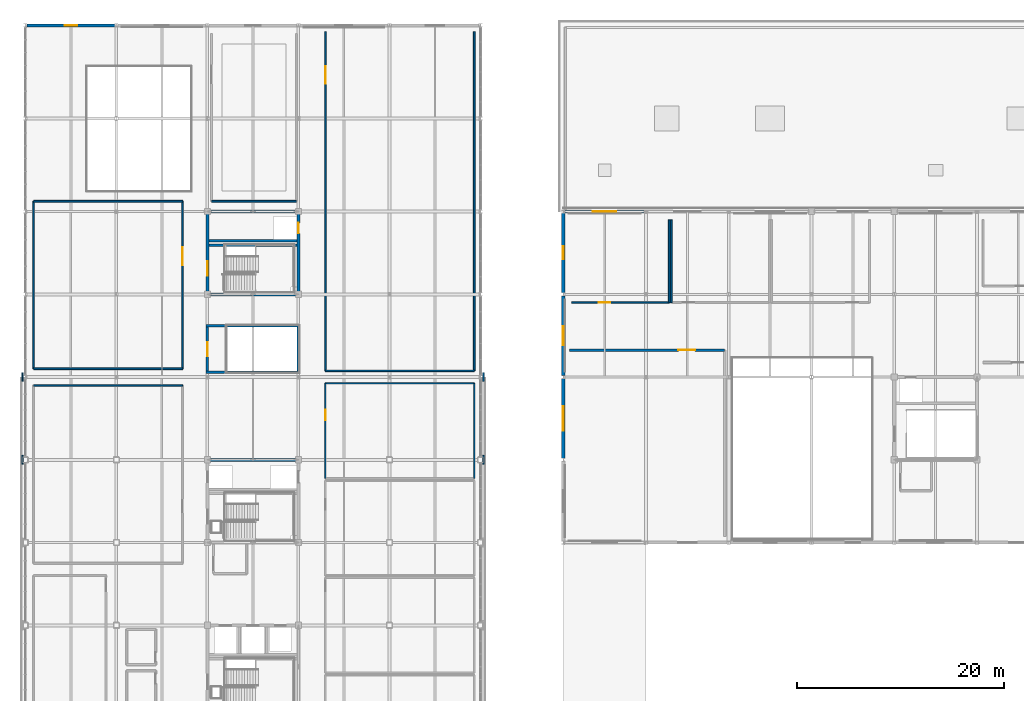
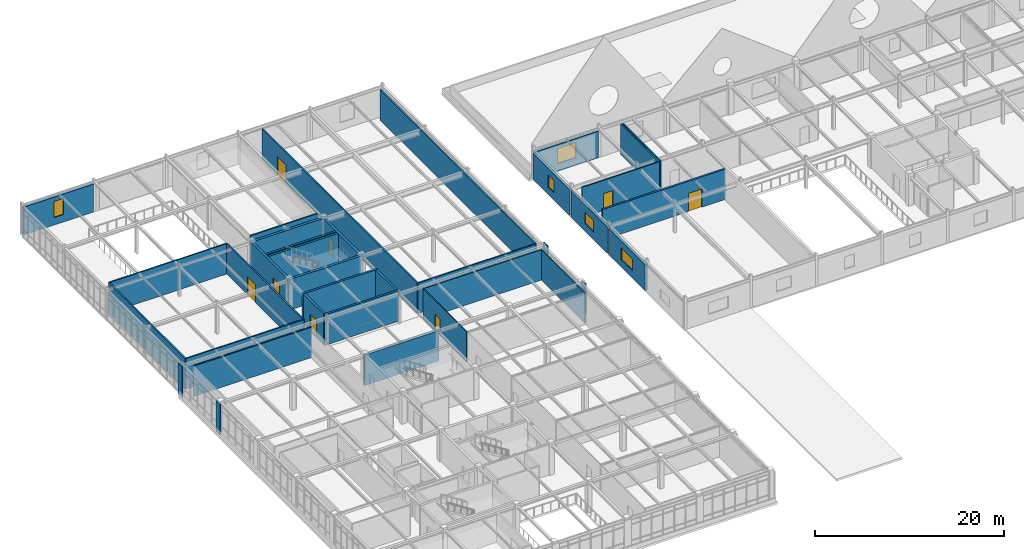
# One storey, part 78 of 88: 36 walls, 8 doors, 5 windows, 13 openings.
"""IFC4 building model written with IfcOpenShell, lengths in metres."""

from ifc_helpers import new_model, si_unit, direction, frame, frame_2d, origin, place, context, subcontext, project, spatial, rectangle, extrude, material, layer, layer_set, type_object, element, fill, save


model = new_model("IFC4")

# Units and contexts
model_context = context("Model", 3, precision=1e-05, world=origin(), true_north=direction((0.0, 1.0)))
body_context = subcontext(model_context, "Body", "Model", "MODEL_VIEW")
ifc_project = project(units=[si_unit("LENGTHUNIT", "METRE"), si_unit("AREAUNIT", "SQUARE_METRE"), si_unit("VOLUMEUNIT", "CUBIC_METRE"), si_unit("PLANEANGLEUNIT", "RADIAN"), si_unit("MASSUNIT", "GRAM", prefix="KILO")], contexts=[model_context])

# Site, building, storey
site_placement = place(None, origin())
site = spatial("IfcSite", under=ifc_project, at=site_placement, CompositionType="ELEMENT")
building_placement = place(site_placement, origin())
building = spatial("IfcBuilding", under=site, at=building_placement, Name="Zhaolan Boulevard Law Courts", CompositionType="ELEMENT")
storey_placement = place(building_placement, frame((0.0, 0.0, 16.199951171875)))
storey = spatial("IfcBuildingStorey", under=building, at=storey_placement, Name="L03", CompositionType="ELEMENT", Elevation=16.199951171875)

# Walls
ifc_material_1 = material(Name="Concrete C50", Category="concrete")
ifc_layer_1 = layer(ifc_material_1, 0.300048828125)
ifc_layer_set_1 = layer_set([ifc_layer_1])
wall_type_1 = type_object("IfcWallType", Name="CORE SHEAR WALL 300", PredefinedType="SHEAR", material=ifc_layer_set_1)
for number, where, z_axis, x_axis, name in (
    (1, (26.550048828125, 70.0, 0.0), (0.0, 0.0, 1.0), (-1.0, 0.0, 0.0), "Core Shear Wall CW-W2-L03N"),
    (2, (17.449951171875, 86.0, 0.0), (0.0, 0.0, 1.0), (1.0, 0.0, 0.0), "Core Shear Wall CW-L1-L03S"),
    (3, (26.550048828125, 94.0, 0.0), (0.0, 0.0, 1.0), (-1.0, 0.0, 0.0), "Core Shear Wall CW-L1-L03N"),
):
    element("IfcWall", number, at=place(storey_placement, frame(where, z_axis=z_axis, x_axis=x_axis)), inside=storey, type_object=wall_type_1, Name=name, PredefinedType="SHEAR", context=body_context, shape_type="SweptSolid", body=[
        extrude(rectangle(XDim=9.10009765625, YDim=0.300048828125, at=frame_2d((4.550048828125, 0.0))), origin(), (0.0, 0.0, 1.0), 3.920166015625),
    ])

# Wall, opening, door
wall_1_placement = place(storey_placement, frame((17.60009765625, 86.14990234375, 0.0), z_axis=(0.0, 0.0, 1.0), x_axis=(0.0, 1.0, 0.0)))
wall_1 = element("IfcWall", 4, at=wall_1_placement, inside=storey, type_object=wall_type_1, Name="Core Shear Wall CW-L1-L03W", PredefinedType="SHEAR", context=body_context, shape_type="SweptSolid", body=[
    extrude(rectangle(XDim=7.7001953125, YDim=0.300048828125, at=frame_2d((3.85009765625, 0.0))), origin(), (0.0, 0.0, 1.0), 3.920166015625),
])
opening_1_placement = place(wall_1_placement, frame((1.64990234375, 0.0, 0.0)))
opening_1 = element("IfcOpeningElement", 5, at=opening_1_placement, cuts=wall_1, Name="Opening SD-L03-41", PredefinedType="OPENING", context=body_context, shape_type="SweptSolid", body=[
    extrude(rectangle(XDim=1.39990234375, YDim=2.199951171875, at=frame_2d((0.699951171875, 1.10009765625))), frame((0.0, 0.159912109375, 0.0), z_axis=(0.0, -1.0, 0.0), x_axis=(1.0, 0.0, 0.0)), (0.0, 0.0, 1.0), 0.320068359375),
])
ifc_material_2 = material(Name="Fire-rated steel acoustic door", Category="steel")
door_type_1 = type_object("IfcDoorType", Name="STAIR FIRE 1400X2200 L", OperationType="SINGLE_SWING_LEFT", PredefinedType="DOOR", material=ifc_material_2)
door_1_placement = place(opening_1_placement, origin())
door_1 = element("IfcDoor", 6, at=door_1_placement, inside=storey, type_object=door_type_1, Name="Smoke-Proof Stairwell Fire Door SD-L03-41", OperationType="SINGLE_SWING_LEFT", OverallHeight=2.199951171875, OverallWidth=1.39990234375, PredefinedType="DOOR", context=body_context, shape_type="SweptSolid", body=[
    extrude(rectangle(XDim=1.39990234375, YDim=2.199951171875, at=frame_2d((0.699951171875, 1.10009765625))), frame((0.0, 0.02490234375, 0.0), z_axis=(0.0, -1.0, 0.0), x_axis=(1.0, 0.0, 0.0)), (0.0, 0.0, 1.0), 0.050048828125),
])
fill(opening_1, door_1)

wall_2_placement = place(storey_placement, frame((26.39990234375, 86.14990234375, 0.0), z_axis=(0.0, 0.0, 1.0), x_axis=(0.0, 1.0, 0.0)))
wall_2 = element("IfcWall", 7, at=wall_2_placement, inside=storey, type_object=wall_type_1, Name="Core Shear Wall CW-L1-L03E", PredefinedType="SHEAR", context=body_context, shape_type="SweptSolid", body=[
    extrude(rectangle(XDim=7.7001953125, YDim=0.300048828125, at=frame_2d((3.85009765625, 0.0))), origin(), (0.0, 0.0, 1.0), 3.920166015625),
])
opening_2_placement = place(wall_2_placement, frame((5.75, 0.0, 0.0)))
opening_2 = element("IfcOpeningElement", 8, at=opening_2_placement, cuts=wall_2, Name="Opening LD-PL-04-L03", PredefinedType="OPENING", context=body_context, shape_type="SweptSolid", body=[
    extrude(rectangle(XDim=1.0, YDim=2.14990234375, at=frame_2d((0.5, 1.074951171875))), frame((0.0, 0.159912109375, 0.0), z_axis=(0.0, -1.0, 0.0), x_axis=(1.0, 0.0, 0.0)), (0.0, 0.0, 1.0), 0.320068359375),
])
ifc_material_3 = material(Name="Stainless steel sliding landing door", Category="steel")
door_type_2 = type_object("IfcDoorType", Name="LIFT LANDING 1000X2150", OperationType="DOUBLE_DOOR_SLIDING", PredefinedType="DOOR", material=ifc_material_3)
door_2_placement = place(opening_2_placement, origin())
door_2 = element("IfcDoor", 9, at=door_2_placement, inside=storey, type_object=door_type_2, Name="Lift Landing Sliding Door LD-PL-04-L03", OperationType="DOUBLE_DOOR_SLIDING", OverallHeight=2.14990234375, OverallWidth=1.0, PredefinedType="DOOR", context=body_context, shape_type="SweptSolid", body=[
    extrude(rectangle(XDim=1.0, YDim=2.14990234375, at=frame_2d((0.5, 1.074951171875))), frame((0.0, 0.02490234375, 0.0), z_axis=(0.0, -1.0, 0.0), x_axis=(1.0, 0.0, 0.0)), (0.0, 0.0, 1.0), 0.050048828125),
])
fill(opening_2, door_2)

# Walls
ifc_material_4 = material(Name="Concrete C40", Category="concrete")
ifc_layer_2 = layer(ifc_material_4, 0.139892578125)
ifc_layer_set_2 = layer_set([ifc_layer_2])
wall_type_2 = type_object("IfcWallType", Name="EXT WALL ARCH CLAD140", PredefinedType="SOLIDWALL", material=ifc_layer_set_2)
for number, where, z_axis, x_axis, name in (
    (10, (-0.280029296875, 69.580078125, 0.0), (0.0, 0.0, 1.0), (0.0, 1.0, 0.0), "Concrete Column Cloak Pier CPR-088"),
    (11, (44.280029296875, 69.580078125, 0.0), (0.0, 0.0, 1.0), (0.0, 1.0, 0.0), "Concrete Column Cloak Pier CPR-089"),
    (12, (-0.280029296875, 77.580078125, 0.0), (0.0, 0.0, 1.0), (0.0, 1.0, 0.0), "Concrete Column Cloak Pier CPR-090"),
    (13, (44.280029296875, 77.580078125, 0.0), (0.0, 0.0, 1.0), (0.0, 1.0, 0.0), "Concrete Column Cloak Pier CPR-091"),
):
    element("IfcWall", number, at=place(storey_placement, frame(where, z_axis=z_axis, x_axis=x_axis)), inside=storey, type_object=wall_type_2, Name=name, PredefinedType="SOLIDWALL", context=body_context, shape_type="SweptSolid", body=[
        extrude(rectangle(XDim=0.83984375, YDim=0.139892578125, at=frame_2d((0.419921875, 0.0))), origin(), (0.0, 0.0, 1.0), 3.93994140625),
    ])

# Wall, opening, window
ifc_material_5 = material(Name="Concrete C40", Category="concrete")
ifc_layer_3 = layer(ifc_material_5, 0.300048828125)
ifc_layer_set_3 = layer_set([ifc_layer_3])
wall_type_3 = type_object("IfcWallType", Name="EXT WALL CONCRETE300", PredefinedType="SOLIDWALL", material=ifc_layer_set_3)
wall_3_placement = place(storey_placement, frame((59.85400390625, 94.0, 0.0), z_axis=(0.0, 0.0, 1.0), x_axis=(-1.0, 0.0, 0.0)))
wall_3 = element("IfcWall", 14, at=wall_3_placement, inside=storey, type_object=wall_type_3, Name="Exterior Wall EW-L03-284", PredefinedType="SOLIDWALL", context=body_context, shape_type="SweptSolid", body=[
    extrude(rectangle(XDim=7.7080078125, YDim=0.300048828125, at=frame_2d((3.85400390625, 0.0))), origin(), (0.0, 0.0, 1.0), 3.423095703125),
])
opening_3_placement = place(wall_3_placement, frame((2.72900390625, 0.0, 0.949951171875)))
opening_3 = element("IfcOpeningElement", 15, at=opening_3_placement, cuts=wall_3, Name="Opening WIN-L03-141", PredefinedType="OPENING", context=body_context, shape_type="SweptSolid", body=[
    extrude(rectangle(XDim=2.25, YDim=1.949951171875, at=frame_2d((1.125, 0.97509765625))), frame((0.0, 0.159912109375, 0.0), z_axis=(0.0, -1.0, 0.0), x_axis=(1.0, 0.0, 0.0)), (0.0, 0.0, 1.0), 0.320068359375),
])
ifc_material_6 = material(Name="Thermally broken aluminium and low-E glazing", Category="aluminium")
window_type_1 = type_object("IfcWindowType", Name="WINDOW 2250X1950", PartitioningType="DOUBLE_PANEL_VERTICAL", PredefinedType="WINDOW", material=ifc_material_6)
window_1_placement = place(opening_3_placement, origin())
window_1 = element("IfcWindow", 16, at=window_1_placement, inside=storey, type_object=window_type_1, Name="Exterior Window WIN-L03-141", OverallHeight=1.949951171875, OverallWidth=2.25, PartitioningType="SINGLE_PANEL", PredefinedType="WINDOW", context=body_context, shape_type="SweptSolid", body=[
    extrude(rectangle(XDim=2.25, YDim=1.949951171875, at=frame_2d((1.125, 0.97509765625))), frame((0.0, 0.030029296875, 0.0), z_axis=(0.0, -1.0, 0.0), x_axis=(1.0, 0.0, 0.0)), (0.0, 0.0, 1.0), 0.06005859375),
])
fill(opening_3, window_1)

wall_4_placement = place(storey_placement, frame((52.0, 77.85400390625, 0.0), z_axis=(0.0, 0.0, 1.0), x_axis=(0.0, -1.0, 0.0)))
wall_4 = element("IfcWall", 17, at=wall_4_placement, inside=storey, type_object=wall_type_3, Name="Exterior Wall EW-L03-299", PredefinedType="SOLIDWALL", context=body_context, shape_type="SweptSolid", body=[
    extrude(rectangle(XDim=7.7080078125, YDim=0.300048828125, at=frame_2d((3.85400390625, 0.0))), origin(), (0.0, 0.0, 1.0), 3.383056640625),
])
opening_4_placement = place(wall_4_placement, frame((2.654052734375, 0.0, 0.949951171875)))
opening_4 = element("IfcOpeningElement", 18, at=opening_4_placement, cuts=wall_4, Name="Opening WIN-L03-156", PredefinedType="OPENING", context=body_context, shape_type="SweptSolid", body=[
    extrude(rectangle(XDim=2.39990234375, YDim=1.5, at=frame_2d((1.199951171875, 0.75))), frame((0.0, 0.159912109375, 0.0), z_axis=(0.0, -1.0, 0.0), x_axis=(1.0, 0.0, 0.0)), (0.0, 0.0, 1.0), 0.320068359375),
])
ifc_material_7 = material(Name="Thermally broken aluminium and low-E glazing", Category="aluminium")
window_type_2 = type_object("IfcWindowType", Name="WINDOW 2400X1500", PartitioningType="DOUBLE_PANEL_VERTICAL", PredefinedType="WINDOW", material=ifc_material_7)
window_2_placement = place(opening_4_placement, origin())
window_2 = element("IfcWindow", 19, at=window_2_placement, inside=storey, type_object=window_type_2, Name="Exterior Window WIN-L03-156", OverallHeight=1.5, OverallWidth=2.39990234375, PartitioningType="SINGLE_PANEL", PredefinedType="WINDOW", context=body_context, shape_type="SweptSolid", body=[
    extrude(rectangle(XDim=2.39990234375, YDim=1.5, at=frame_2d((1.199951171875, 0.75))), frame((0.0, 0.030029296875, 0.0), z_axis=(0.0, -1.0, 0.0), x_axis=(1.0, 0.0, 0.0)), (0.0, 0.0, 1.0), 0.06005859375),
])
fill(opening_4, window_2)

wall_5_placement = place(storey_placement, frame((52.0, 85.85400390625, 0.0), z_axis=(0.0, 0.0, 1.0), x_axis=(0.0, -1.0, 0.0)))
wall_5 = element("IfcWall", 20, at=wall_5_placement, inside=storey, type_object=wall_type_3, Name="Exterior Wall EW-L03-300", PredefinedType="SOLIDWALL", context=body_context, shape_type="SweptSolid", body=[
    extrude(rectangle(XDim=7.7080078125, YDim=0.300048828125, at=frame_2d((3.85400390625, 0.0))), origin(), (0.0, 0.0, 1.0), 3.383056640625),
])
opening_5_placement = place(wall_5_placement, frame((2.9541015625, 0.0, 0.949951171875)))
opening_5 = element("IfcOpeningElement", 21, at=opening_5_placement, cuts=wall_5, Name="Opening WIN-L03-157", PredefinedType="OPENING", context=body_context, shape_type="SweptSolid", body=[
    extrude(rectangle(XDim=1.800048828125, YDim=1.5, at=frame_2d((0.89990234375, 0.75))), frame((0.0, 0.159912109375, 0.0), z_axis=(0.0, -1.0, 0.0), x_axis=(1.0, 0.0, 0.0)), (0.0, 0.0, 1.0), 0.320068359375),
])
ifc_material_8 = material(Name="Thermally broken aluminium and low-E glazing", Category="aluminium")
window_type_3 = type_object("IfcWindowType", Name="WINDOW 1800X1500", PartitioningType="DOUBLE_PANEL_VERTICAL", PredefinedType="WINDOW", material=ifc_material_8)
window_3_placement = place(opening_5_placement, origin())
window_3 = element("IfcWindow", 22, at=window_3_placement, inside=storey, type_object=window_type_3, Name="Exterior Window WIN-L03-157", OverallHeight=1.5, OverallWidth=1.800048828125, PartitioningType="SINGLE_PANEL", PredefinedType="WINDOW", context=body_context, shape_type="SweptSolid", body=[
    extrude(rectangle(XDim=1.800048828125, YDim=1.5, at=frame_2d((0.89990234375, 0.75))), frame((0.0, 0.030029296875, 0.0), z_axis=(0.0, -1.0, 0.0), x_axis=(1.0, 0.0, 0.0)), (0.0, 0.0, 1.0), 0.06005859375),
])
fill(opening_5, window_3)

wall_6_placement = place(storey_placement, frame((52.0, 93.85400390625, 0.0), z_axis=(0.0, 0.0, 1.0), x_axis=(0.0, -1.0, 0.0)))
wall_6 = element("IfcWall", 23, at=wall_6_placement, inside=storey, type_object=wall_type_3, Name="Exterior Wall EW-L03-301", PredefinedType="SOLIDWALL", context=body_context, shape_type="SweptSolid", body=[
    extrude(rectangle(XDim=7.7080078125, YDim=0.300048828125, at=frame_2d((3.85400390625, 0.0))), origin(), (0.0, 0.0, 1.0), 3.383056640625),
])
opening_6_placement = place(wall_6_placement, frame((3.22900390625, 0.0, 0.949951171875)))
opening_6 = element("IfcOpeningElement", 24, at=opening_6_placement, cuts=wall_6, Name="Opening WIN-L03-158", PredefinedType="OPENING", context=body_context, shape_type="SweptSolid", body=[
    extrude(rectangle(XDim=1.25, YDim=1.60009765625, at=frame_2d((0.625, 0.800048828125))), frame((0.0, 0.159912109375, 0.0), z_axis=(0.0, -1.0, 0.0), x_axis=(1.0, 0.0, 0.0)), (0.0, 0.0, 1.0), 0.320068359375),
])
ifc_material_9 = material(Name="Thermally broken aluminium and low-E glazing", Category="aluminium")
window_type_4 = type_object("IfcWindowType", Name="WINDOW 1250X1600", PartitioningType="SINGLE_PANEL", PredefinedType="WINDOW", material=ifc_material_9)
window_4_placement = place(opening_6_placement, origin())
window_4 = element("IfcWindow", 25, at=window_4_placement, inside=storey, type_object=window_type_4, Name="Exterior Window WIN-L03-158", OverallHeight=1.60009765625, OverallWidth=1.25, PartitioningType="SINGLE_PANEL", PredefinedType="WINDOW", context=body_context, shape_type="SweptSolid", body=[
    extrude(rectangle(XDim=1.25, YDim=1.60009765625, at=frame_2d((0.625, 0.800048828125))), frame((0.0, 0.030029296875, 0.0), z_axis=(0.0, -1.0, 0.0), x_axis=(1.0, 0.0, 0.0)), (0.0, 0.0, 1.0), 0.06005859375),
])
fill(opening_6, window_4)

wall_7_placement = place(storey_placement, frame((8.654052734375, 112.0, 0.0), z_axis=(0.0, 0.0, 1.0), x_axis=(-1.0, 0.0, 0.0)))
wall_7 = element("IfcWall", 26, at=wall_7_placement, inside=storey, type_object=wall_type_3, Name="Exterior Wall EW-L03-355", PredefinedType="SOLIDWALL", context=body_context, shape_type="SweptSolid", body=[
    extrude(rectangle(XDim=8.508056640625, YDim=0.300048828125, at=frame_2d((4.25390625, 0.0))), origin(), (0.0, 0.0, 1.0), 3.60302734375),
])
opening_7_placement = place(wall_7_placement, frame((3.654052734375, 0.0, 0.949951171875)))
opening_7 = element("IfcOpeningElement", 27, at=opening_7_placement, cuts=wall_7, Name="Opening WIN-L03-208", PredefinedType="OPENING", context=body_context, shape_type="SweptSolid", body=[
    extrude(rectangle(XDim=1.199951171875, YDim=2.10009765625, at=frame_2d((0.60009765625, 1.050048828125))), frame((0.0, 0.159912109375, 0.0), z_axis=(0.0, -1.0, 0.0), x_axis=(1.0, 0.0, 0.0)), (0.0, 0.0, 1.0), 0.320068359375),
])
ifc_material_10 = material(Name="Thermally broken aluminium and low-E glazing", Category="aluminium")
window_type_5 = type_object("IfcWindowType", Name="WINDOW 1200X2100", PartitioningType="SINGLE_PANEL", PredefinedType="WINDOW", material=ifc_material_10)
window_5_placement = place(opening_7_placement, origin())
window_5 = element("IfcWindow", 28, at=window_5_placement, inside=storey, type_object=window_type_5, Name="Exterior Window WIN-L03-208", OverallHeight=2.10009765625, OverallWidth=1.199951171875, PartitioningType="SINGLE_PANEL", PredefinedType="WINDOW", context=body_context, shape_type="SweptSolid", body=[
    extrude(rectangle(XDim=1.199951171875, YDim=2.10009765625, at=frame_2d((0.60009765625, 1.050048828125))), frame((0.0, 0.030029296875, 0.0), z_axis=(0.0, -1.0, 0.0), x_axis=(1.0, 0.0, 0.0)), (0.0, 0.0, 1.0), 0.06005859375),
])
fill(opening_7, window_5)

# Wall
ifc_material_11 = material(Name="Concrete C50", Category="concrete")
ifc_layer_4 = layer(ifc_material_11, 0.239990234375)
ifc_layer_set_4 = layer_set([ifc_layer_4])
wall_type_4 = type_object("IfcWallType", Name="LIFT SHAFT WALL 240", PredefinedType="SHEAR", material=ifc_layer_set_4)
wall_8_placement = place(storey_placement, frame((17.75, 91.179931640625, 0.0), z_axis=(0.0, 0.0, 1.0), x_axis=(1.0, 0.0, 0.0)))
element("IfcWall", 29, at=wall_8_placement, inside=storey, type_object=wall_type_4, Name="Lift Shaft Enclosure Wall L1 (L03)", PredefinedType="SHEAR", context=body_context, shape_type="SweptSolid", body=[
    extrude(rectangle(XDim=8.5, YDim=0.239990234375, at=frame_2d((4.25, 0.0))), origin(), (0.0, 0.0, 1.0), 3.920166015625),
])

# Wall, opening, door
ifc_material_12 = material(Name="Fire-rated gypsum stud partition")
ifc_layer_5 = layer(ifc_material_12, 0.159912109375)
ifc_layer_set_5 = layer_set([ifc_layer_5])
wall_type_5 = type_object("IfcWallType", Name="PART WALL CHAMB160", PredefinedType="PARTITIONING", material=ifc_layer_set_5)
wall_9_placement = place(storey_placement, frame((52.800048828125, 85.199951171875, 0.0), z_axis=(0.0, 0.0, 1.0), x_axis=(1.0, 0.0, 0.0)))
wall_9 = element("IfcWall", 30, at=wall_9_placement, inside=storey, type_object=wall_type_5, Name="Interior Partition PW-L03-525", PredefinedType="PARTITIONING", context=body_context, shape_type="SweptSolid", body=[
    extrude(rectangle(XDim=9.452880859375, YDim=0.159912109375, at=frame_2d((4.7265625, 0.0))), origin(), (0.0, 0.0, 1.0), 3.920166015625),
])
opening_8_placement = place(wall_9_placement, frame((2.611083984375, 0.0, 0.0)))
opening_8 = element("IfcOpeningElement", 31, at=opening_8_placement, cuts=wall_9, Name="Opening JR-L03-165", PredefinedType="OPENING", context=body_context, shape_type="SweptSolid", body=[
    extrude(rectangle(XDim=1.14990234375, YDim=2.199951171875, at=frame_2d((0.574951171875, 1.10009765625))), frame((0.0, 0.08984375, 0.0), z_axis=(0.0, -1.0, 0.0), x_axis=(1.0, 0.0, 0.0)), (0.0, 0.0, 1.0), 0.179931640625),
])
ifc_material_13 = material(Name="Solid-core acoustic oak veneer door")
door_type_3 = type_object("IfcDoorType", Name="JURY DOOR 1150X2200 L", OperationType="SINGLE_SWING_LEFT", PredefinedType="DOOR", material=ifc_material_13)
door_3_placement = place(opening_8_placement, origin())
door_3 = element("IfcDoor", 32, at=door_3_placement, inside=storey, type_object=door_type_3, Name="Door JR-L03-165 (Jury Room L03-01)", OperationType="SINGLE_SWING_LEFT", OverallHeight=2.199951171875, OverallWidth=1.14990234375, PredefinedType="DOOR", context=body_context, shape_type="SweptSolid", body=[
    extrude(rectangle(XDim=1.14990234375, YDim=2.199951171875, at=frame_2d((0.574951171875, 1.10009765625))), frame((0.0, 0.02490234375, 0.0), z_axis=(0.0, -1.0, 0.0), x_axis=(1.0, 0.0, 0.0)), (0.0, 0.0, 1.0), 0.050048828125),
])
fill(opening_8, door_3)

# Walls
for number, where, z_axis, x_axis, name in (
    (33, (62.2529296875, 85.199951171875, 0.0), (0.0, 0.0, 1.0), (0.0, 1.0, 0.0), "Interior Partition PW-L03-526"),
    (34, (62.472900390625, 93.199951171875, 0.0), (0.0, 0.0, 1.0), (0.0, -1.0, 0.0), "Interior Partition PW-L03-528"),
):
    element("IfcWall", number, at=place(storey_placement, frame(where, z_axis=z_axis, x_axis=x_axis)), inside=storey, type_object=wall_type_5, Name=name, PredefinedType="PARTITIONING", context=body_context, shape_type="SweptSolid", body=[
        extrude(rectangle(XDim=8.0, YDim=0.159912109375, at=frame_2d((4.0, 0.0))), origin(), (0.0, 0.0, 1.0), 3.920166015625),
    ])
for number, where, z_axis, x_axis, name in (
    (35, (0.800048828125, 78.800048828125, 0.0), (0.0, 0.0, 1.0), (1.0, 0.0, 0.0), "Interior Partition PW-L03-545"),
    (36, (15.199951171875, 95.0, 0.0), (0.0, 0.0, 1.0), (-1.0, 0.0, 0.0), "Interior Partition PW-L03-546"),
):
    element("IfcWall", number, at=place(storey_placement, frame(where, z_axis=z_axis, x_axis=x_axis)), inside=storey, type_object=wall_type_5, Name=name, PredefinedType="PARTITIONING", context=body_context, shape_type="SweptSolid", body=[
        extrude(rectangle(XDim=14.39990234375, YDim=0.159912109375, at=frame_2d((7.199951171875, 0.0))), origin(), (0.0, 0.0, 1.0), 3.920166015625),
    ])
wall_10_placement = place(storey_placement, frame((0.800048828125, 95.0, 0.0), z_axis=(0.0, 0.0, 1.0), x_axis=(0.0, -1.0, 0.0)))
element("IfcWall", 37, at=wall_10_placement, inside=storey, type_object=wall_type_5, Name="Interior Partition PW-L03-547", PredefinedType="PARTITIONING", context=body_context, shape_type="SweptSolid", body=[
    extrude(rectangle(XDim=16.199951171875, YDim=0.159912109375, at=frame_2d((8.10009765625, 0.0))), origin(), (0.0, 0.0, 1.0), 3.920166015625),
])

# Wall, opening, door
wall_11_placement = place(storey_placement, frame((15.199951171875, 78.800048828125, 0.0), z_axis=(0.0, 0.0, 1.0), x_axis=(0.0, 1.0, 0.0)))
wall_11 = element("IfcWall", 38, at=wall_11_placement, inside=storey, type_object=wall_type_5, Name="Interior Partition PW-L03-548", PredefinedType="PARTITIONING", context=body_context, shape_type="SweptSolid", body=[
    extrude(rectangle(XDim=16.199951171875, YDim=0.159912109375, at=frame_2d((8.10009765625, 0.0))), origin(), (0.0, 0.0, 1.0), 3.920166015625),
])
opening_9_placement = place(wall_11_placement, frame((10.030029296875, 0.0, 0.0)))
opening_9 = element("IfcOpeningElement", 39, at=opening_9_placement, cuts=wall_11, Name="Opening ID-L03-172", PredefinedType="OPENING", context=body_context, shape_type="SweptSolid", body=[
    extrude(rectangle(XDim=1.699951171875, YDim=2.300048828125, at=frame_2d((0.85009765625, 1.14990234375))), frame((0.0, 0.08984375, 0.0), z_axis=(0.0, -1.0, 0.0), x_axis=(1.0, 0.0, 0.0)), (0.0, 0.0, 1.0), 0.179931640625),
])
ifc_material_14 = material(Name="Solid-core acoustic oak veneer door")
door_type_4 = type_object("IfcDoorType", Name="LIB DOUBLE 1700X2300", OperationType="DOUBLE_DOOR_SINGLE_SWING", PredefinedType="DOOR", material=ifc_material_14)
door_4_placement = place(opening_9_placement, origin())
door_4 = element("IfcDoor", 40, at=door_4_placement, inside=storey, type_object=door_type_4, Name="Door ID-L03-172 (Law Library Rare Collections Room)", OperationType="DOUBLE_DOOR_SINGLE_SWING", OverallHeight=2.300048828125, OverallWidth=1.699951171875, PredefinedType="DOOR", context=body_context, shape_type="SweptSolid", body=[
    extrude(rectangle(XDim=1.699951171875, YDim=2.300048828125, at=frame_2d((0.85009765625, 1.14990234375))), frame((0.0, 0.02490234375, 0.0), z_axis=(0.0, -1.0, 0.0), x_axis=(1.0, 0.0, 0.0)), (0.0, 0.0, 1.0), 0.050048828125),
])
fill(opening_9, door_4)

# Wall
wall_12_placement = place(storey_placement, frame((29.0, 78.60009765625, 0.0), z_axis=(0.0, 0.0, 1.0), x_axis=(1.0, 0.0, 0.0)))
element("IfcWall", 41, at=wall_12_placement, inside=storey, type_object=wall_type_5, Name="Interior Partition PW-L03-549", PredefinedType="PARTITIONING", context=body_context, shape_type="SweptSolid", body=[
    extrude(rectangle(XDim=14.39990234375, YDim=0.159912109375, at=frame_2d((7.199951171875, 0.0))), origin(), (0.0, 0.0, 1.0), 3.920166015625),
])

# Wall, opening, door
wall_13_placement = place(storey_placement, frame((29.0, 111.39990234375, 0.0), z_axis=(0.0, 0.0, 1.0), x_axis=(0.0, -1.0, 0.0)))
wall_13 = element("IfcWall", 42, at=wall_13_placement, inside=storey, type_object=wall_type_5, Name="Interior Partition PW-L03-550", PredefinedType="PARTITIONING", context=body_context, shape_type="SweptSolid", body=[
    extrude(rectangle(XDim=32.7998046875, YDim=0.159912109375, at=frame_2d((16.39990234375, 0.0))), origin(), (0.0, 0.0, 1.0), 3.920166015625),
])
opening_10_placement = place(wall_13_placement, frame((3.35009765625, 0.0, 0.0)))
opening_10 = element("IfcOpeningElement", 43, at=opening_10_placement, cuts=wall_13, Name="Opening ID-L03-173", PredefinedType="OPENING", context=body_context, shape_type="SweptSolid", body=[
    extrude(rectangle(XDim=1.699951171875, YDim=2.300048828125, at=frame_2d((0.85009765625, 1.14990234375))), frame((0.0, 0.08984375, 0.0), z_axis=(0.0, -1.0, 0.0), x_axis=(1.0, 0.0, 0.0)), (0.0, 0.0, 1.0), 0.179931640625),
])
door_5_placement = place(opening_10_placement, origin())
door_5 = element("IfcDoor", 44, at=door_5_placement, inside=storey, type_object=door_type_4, Name="Door ID-L03-173 (Archival Legal Treatise Stacks)", OperationType="DOUBLE_DOOR_SINGLE_SWING", OverallHeight=2.300048828125, OverallWidth=1.699951171875, PredefinedType="DOOR", context=body_context, shape_type="SweptSolid", body=[
    extrude(rectangle(XDim=1.699951171875, YDim=2.300048828125, at=frame_2d((0.85009765625, 1.14990234375))), frame((0.0, 0.02490234375, 0.0), z_axis=(0.0, -1.0, 0.0), x_axis=(1.0, 0.0, 0.0)), (0.0, 0.0, 1.0), 0.050048828125),
])
fill(opening_10, door_5)

# Walls
wall_14_placement = place(storey_placement, frame((43.39990234375, 78.60009765625, 0.0), z_axis=(0.0, 0.0, 1.0), x_axis=(0.0, 1.0, 0.0)))
element("IfcWall", 45, at=wall_14_placement, inside=storey, type_object=wall_type_5, Name="Interior Partition PW-L03-551", PredefinedType="PARTITIONING", context=body_context, shape_type="SweptSolid", body=[
    extrude(rectangle(XDim=32.7998046875, YDim=0.159912109375, at=frame_2d((16.39990234375, 0.0))), origin(), (0.0, 0.0, 1.0), 3.920166015625),
])
wall_15_placement = place(storey_placement, frame((15.199951171875, 77.199951171875, 0.0), z_axis=(0.0, 0.0, 1.0), x_axis=(-1.0, 0.0, 0.0)))
element("IfcWall", 46, at=wall_15_placement, inside=storey, type_object=wall_type_5, Name="Interior Partition PW-L03-577", PredefinedType="PARTITIONING", context=body_context, shape_type="SweptSolid", body=[
    extrude(rectangle(XDim=14.39990234375, YDim=0.159912109375, at=frame_2d((7.199951171875, 0.0))), origin(), (0.0, 0.0, 1.0), 3.920166015625),
])
wall_16_placement = place(storey_placement, frame((18.0, 95.0, 0.0), z_axis=(0.0, 0.0, 1.0), x_axis=(1.0, 0.0, 0.0)))
element("IfcWall", 47, at=wall_16_placement, inside=storey, type_object=wall_type_5, Name="Interior Partition PW-L03-786", PredefinedType="PARTITIONING", context=body_context, shape_type="SweptSolid", body=[
    extrude(rectangle(XDim=8.199951171875, YDim=0.159912109375, at=frame_2d((4.10009765625, 0.0))), origin(), (0.0, 0.0, 1.0), 3.920166015625),
])

# Wall, opening, door
ifc_material_15 = material(Name="Concrete C40", Category="concrete")
ifc_layer_6 = layer(ifc_material_15, 0.219970703125)
ifc_layer_set_6 = layer_set([ifc_layer_6])
wall_type_6 = type_object("IfcWallType", Name="PART WALL COURT220", PredefinedType="PARTITIONING", material=ifc_layer_set_6)
wall_17_placement = place(storey_placement, frame((67.60009765625, 80.60009765625, 0.0), z_axis=(0.0, 0.0, 1.0), x_axis=(-1.0, 0.0, 0.0)))
wall_17 = element("IfcWall", 48, at=wall_17_placement, inside=storey, type_object=wall_type_6, Name="Interior Partition PW-L03-521", PredefinedType="PARTITIONING", context=body_context, shape_type="SweptSolid", body=[
    extrude(rectangle(XDim=15.0, YDim=0.219970703125, at=frame_2d((7.5, 0.0))), origin(), (0.0, 0.0, 1.0), 3.920166015625),
])
opening_11_placement = place(wall_17_placement, frame((2.860107421875, 0.0, 0.0)))
opening_11 = element("IfcOpeningElement", 49, at=opening_11_placement, cuts=wall_17, Name="Opening ID-L03-163", PredefinedType="OPENING", context=body_context, shape_type="SweptSolid", body=[
    extrude(rectangle(XDim=1.60009765625, YDim=2.35009765625, at=frame_2d((0.800048828125, 1.175048828125))), frame((0.0, 0.119873046875, 0.0), z_axis=(0.0, -1.0, 0.0), x_axis=(1.0, 0.0, 0.0)), (0.0, 0.0, 1.0), 0.239990234375),
])
ifc_material_16 = material(Name="Solid-core acoustic oak veneer door")
door_type_5 = type_object("IfcDoorType", Name="COURT DOUBLE 1600X2350", OperationType="DOUBLE_DOOR_SINGLE_SWING", PredefinedType="DOOR", material=ifc_material_16)
door_6_placement = place(opening_11_placement, origin())
door_6 = element("IfcDoor", 50, at=door_6_placement, inside=storey, type_object=door_type_5, Name="Door ID-L03-163 (Financial Trial Courtroom 16)", OperationType="DOUBLE_DOOR_SINGLE_SWING", OverallHeight=2.35009765625, OverallWidth=1.60009765625, PredefinedType="DOOR", context=body_context, shape_type="SweptSolid", body=[
    extrude(rectangle(XDim=1.60009765625, YDim=2.35009765625, at=frame_2d((0.800048828125, 1.175048828125))), frame((0.0, 0.02490234375, 0.0), z_axis=(0.0, -1.0, 0.0), x_axis=(1.0, 0.0, 0.0)), (0.0, 0.0, 1.0), 0.050048828125),
])
fill(opening_11, door_6)

# Wall
ifc_material_17 = material(Name="Gypsum board stud partition")
ifc_layer_7 = layer(ifc_material_17, 0.1201171875)
ifc_layer_set_7 = layer_set([ifc_layer_7])
wall_type_7 = type_object("IfcWallType", Name="PART WALL LIGHT120", PredefinedType="PARTITIONING", material=ifc_layer_set_7)
wall_18_placement = place(storey_placement, frame((43.39990234375, 77.39990234375, 0.0), z_axis=(0.0, 0.0, 1.0), x_axis=(-1.0, 0.0, 0.0)))
element("IfcWall", 51, at=wall_18_placement, inside=storey, type_object=wall_type_7, Name="Interior Partition PW-L03-573", PredefinedType="PARTITIONING", context=body_context, shape_type="SweptSolid", body=[
    extrude(rectangle(XDim=14.39990234375, YDim=0.1201171875, at=frame_2d((7.199951171875, 0.0))), origin(), (0.0, 0.0, 1.0), 3.920166015625),
])

# Wall, opening, door
wall_19_placement = place(storey_placement, frame((29.0, 77.39990234375, 0.0), z_axis=(0.0, 0.0, 1.0), x_axis=(0.0, -1.0, 0.0)))
wall_19 = element("IfcWall", 52, at=wall_19_placement, inside=storey, type_object=wall_type_7, Name="Interior Partition PW-L03-574", PredefinedType="PARTITIONING", context=body_context, shape_type="SweptSolid", body=[
    extrude(rectangle(XDim=9.183837890625, YDim=0.1201171875, at=frame_2d((4.591796875, 0.0))), origin(), (0.0, 0.0, 1.0), 3.920166015625),
])
opening_12_placement = place(wall_19_placement, frame((2.5810546875, 0.0, 0.0)))
opening_12 = element("IfcOpeningElement", 53, at=opening_12_placement, cuts=wall_19, Name="Opening JD-L03-179", PredefinedType="OPENING", context=body_context, shape_type="SweptSolid", body=[
    extrude(rectangle(XDim=0.97998046875, YDim=2.14990234375, at=frame_2d((0.489990234375, 1.074951171875))), frame((0.0, 0.070068359375, 0.0), z_axis=(0.0, -1.0, 0.0), x_axis=(1.0, 0.0, 0.0)), (0.0, 0.0, 1.0), 0.14013671875),
])
ifc_material_18 = material(Name="Solid-core acoustic oak veneer door")
door_type_6 = type_object("IfcDoorType", Name="CHAMBER DOOR 980X2150 R", OperationType="SINGLE_SWING_RIGHT", PredefinedType="DOOR", material=ifc_material_18)
door_7_placement = place(opening_12_placement, origin())
door_7 = element("IfcDoor", 54, at=door_7_placement, inside=storey, type_object=door_type_6, Name="Door JD-L03-179 (Judges' Chambers L03-05)", OperationType="SINGLE_SWING_RIGHT", OverallHeight=2.14990234375, OverallWidth=0.97998046875, PredefinedType="DOOR", context=body_context, shape_type="SweptSolid", body=[
    extrude(rectangle(XDim=0.97998046875, YDim=2.14990234375, at=frame_2d((0.489990234375, 1.074951171875))), frame((0.0, 0.02490234375, 0.0), z_axis=(0.0, -1.0, 0.0), x_axis=(1.0, 0.0, 0.0)), (0.0, 0.0, 1.0), 0.050048828125),
])
fill(opening_12, door_7)

# Walls
wall_20_placement = place(storey_placement, frame((43.39990234375, 68.216064453125, 0.0), z_axis=(0.0, 0.0, 1.0), x_axis=(0.0, 1.0, 0.0)))
element("IfcWall", 55, at=wall_20_placement, inside=storey, type_object=wall_type_7, Name="Interior Partition PW-L03-575", PredefinedType="PARTITIONING", context=body_context, shape_type="SweptSolid", body=[
    extrude(rectangle(XDim=9.183837890625, YDim=0.1201171875, at=frame_2d((4.591796875, 0.0))), origin(), (0.0, 0.0, 1.0), 3.920166015625),
])
ifc_material_19 = material(Name="Concrete C50", Category="concrete")
ifc_layer_8 = layer(ifc_material_19, 0.239990234375)
ifc_layer_set_8 = layer_set([ifc_layer_8])
wall_type_8 = type_object("IfcWallType", Name="STAIR WELL WALL 240", PredefinedType="SHEAR", material=ifc_layer_set_8)
wall_21_placement = place(storey_placement, frame((17.75, 90.75, 0.0), z_axis=(0.0, 0.0, 1.0), x_axis=(1.0, 0.0, 0.0)))
element("IfcWall", 56, at=wall_21_placement, inside=storey, type_object=wall_type_8, Name="Stairwell Divider Shear Wall ST10-L03N", PredefinedType="SHEAR", context=body_context, shape_type="SweptSolid", body=[
    extrude(rectangle(XDim=8.5, YDim=0.239990234375, at=frame_2d((4.25, 0.0))), origin(), (0.0, 0.0, 1.0), 3.949951171875),
])
for number, where, z_axis, x_axis, name in (
    (57, (17.47998046875, 78.449951171875, 0.0), (0.0, 0.0, 1.0), (1.0, 0.0, 0.0), "Stairwell Shear Wall ST12-L03S"),
    (58, (26.52001953125, 82.949951171875, 0.0), (0.0, 0.0, 1.0), (-1.0, 0.0, 0.0), "Stairwell Shear Wall ST12-L03N"),
):
    element("IfcWall", number, at=place(storey_placement, frame(where, z_axis=z_axis, x_axis=x_axis)), inside=storey, type_object=wall_type_8, Name=name, PredefinedType="SHEAR", context=body_context, shape_type="SweptSolid", body=[
        extrude(rectangle(XDim=9.0400390625, YDim=0.239990234375, at=frame_2d((4.52001953125, 0.0))), origin(), (0.0, 0.0, 1.0), 3.949951171875),
    ])

# Wall, opening, door
wall_22_placement = place(storey_placement, frame((17.60009765625, 78.570068359375, 0.0), z_axis=(0.0, 0.0, 1.0), x_axis=(0.0, 1.0, 0.0)))
wall_22 = element("IfcWall", 59, at=wall_22_placement, inside=storey, type_object=wall_type_8, Name="Stairwell Shear Wall ST12-L03W", PredefinedType="SHEAR", context=body_context, shape_type="SweptSolid", body=[
    extrude(rectangle(XDim=4.260009765625, YDim=0.239990234375, at=frame_2d((2.1298828125, 0.0))), origin(), (0.0, 0.0, 1.0), 3.949951171875),
])
opening_13_placement = place(wall_22_placement, frame((1.455078125, 0.0, 0.0)))
opening_13 = element("IfcOpeningElement", 60, at=opening_13_placement, cuts=wall_22, Name="Opening SD-L03-62", PredefinedType="OPENING", context=body_context, shape_type="SweptSolid", body=[
    extrude(rectangle(XDim=1.35009765625, YDim=2.199951171875, at=frame_2d((0.675048828125, 1.10009765625))), frame((0.0, 0.1298828125, 0.0), z_axis=(0.0, -1.0, 0.0), x_axis=(1.0, 0.0, 0.0)), (0.0, 0.0, 1.0), 0.260009765625),
])
ifc_material_20 = material(Name="Fire-rated steel acoustic door", Category="steel")
door_type_7 = type_object("IfcDoorType", Name="STAIR FIRE 1350X2200 R", OperationType="SINGLE_SWING_RIGHT", PredefinedType="DOOR", material=ifc_material_20)
door_8_placement = place(opening_13_placement, origin())
door_8 = element("IfcDoor", 61, at=door_8_placement, inside=storey, type_object=door_type_7, Name="Smoke-Proof Stairwell Fire Door SD-L03-62", OperationType="SINGLE_SWING_RIGHT", OverallHeight=2.199951171875, OverallWidth=1.35009765625, PredefinedType="DOOR", context=body_context, shape_type="SweptSolid", body=[
    extrude(rectangle(XDim=1.35009765625, YDim=2.199951171875, at=frame_2d((0.675048828125, 1.10009765625))), frame((0.0, 0.02490234375, 0.0), z_axis=(0.0, -1.0, 0.0), x_axis=(1.0, 0.0, 0.0)), (0.0, 0.0, 1.0), 0.050048828125),
])
fill(opening_13, door_8)

# Wall
wall_23_placement = place(storey_placement, frame((26.39990234375, 78.570068359375, 0.0), z_axis=(0.0, 0.0, 1.0), x_axis=(0.0, 1.0, 0.0)))
element("IfcWall", 62, at=wall_23_placement, inside=storey, type_object=wall_type_8, Name="Stairwell Shear Wall ST12-L03E", PredefinedType="SHEAR", context=body_context, shape_type="SweptSolid", body=[
    extrude(rectangle(XDim=4.260009765625, YDim=0.239990234375, at=frame_2d((2.1298828125, 0.0))), origin(), (0.0, 0.0, 1.0), 3.949951171875),
])

save(model, "model.ifc")
